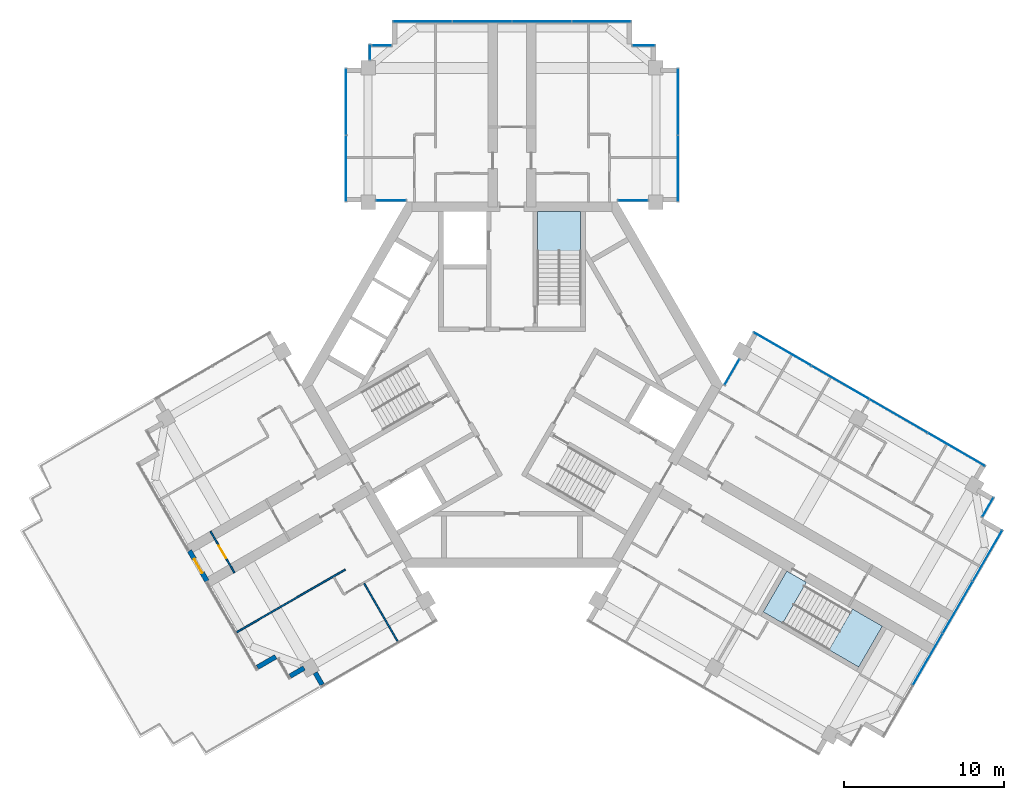
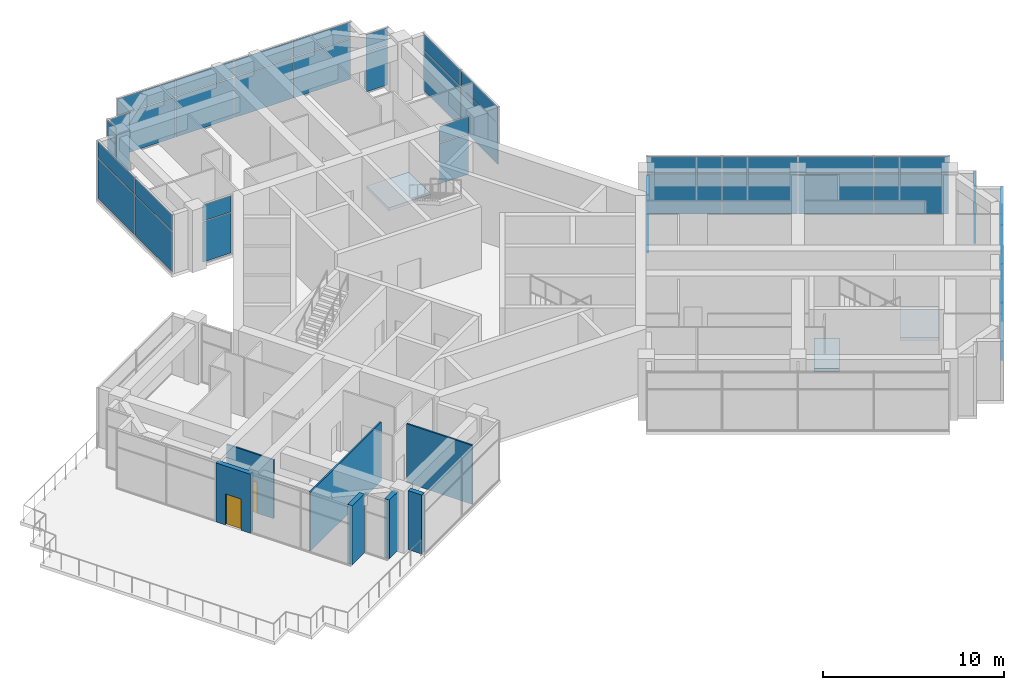
# One storey, part 8 of 13: 44 plates, 7 walls, 3 slabs, 2 doors, 2 openings, 14 elements without a shape of their own.
"""IFC4 building model written with IfcOpenShell, lengths in metres."""

from ifc_helpers import new_model, si_unit, direction, frame, frame_2d, origin, origin_2d, place, context, subcontext, project, spatial, polyline, rectangle, outline, extrude, material, layer, layer_set, type_object, element, fill, aggregate, save


model = new_model("IFC4")

# Units and contexts
model_context = context("Model", 3, precision=1e-05, world=origin(), true_north=direction((0.0, 1.0)))
body_context = subcontext(model_context, "Body", "Model", "MODEL_VIEW")
ifc_project = project(units=[si_unit("LENGTHUNIT", "METRE"), si_unit("AREAUNIT", "SQUARE_METRE"), si_unit("VOLUMEUNIT", "CUBIC_METRE"), si_unit("PLANEANGLEUNIT", "RADIAN"), si_unit("MASSUNIT", "GRAM", prefix="KILO")], contexts=[model_context])

# Site, building, storey
site_placement = place(None, origin())
site = spatial("IfcSite", under=ifc_project, at=site_placement, CompositionType="ELEMENT")
building_placement = place(site_placement, origin())
building = spatial("IfcBuilding", under=site, at=building_placement, Name="Impinga Residences", CompositionType="ELEMENT")
storey_placement = place(building_placement, frame((0.0, 0.0, 283.14990234375)))
storey = spatial("IfcBuildingStorey", under=building, at=storey_placement, Name="L71", CompositionType="ELEMENT", Elevation=283.14990234375)

# Curtain wall, plates
ifc_material_1 = material(Name="Aluminium stick curtain wall", Category="aluminium")
curtain_wall_type = type_object("IfcCurtainWallType", Name="CW3 penthouse curtain wall", PredefinedType="USERDEFINED", material=ifc_material_1)
curtain_wall_1_placement = place(storey_placement, origin())
curtain_wall_1 = element("IfcCurtainWall", 1, at=curtain_wall_1_placement, inside=storey, type_object=curtain_wall_type, Name="Curtain wall CW3 L71", ObjectType="STICK CURTAIN WALL", PredefinedType="USERDEFINED")
ifc_material_2 = material(Name="Clear double glazing", Category="glass")
ifc_layer_1 = layer(ifc_material_2, 0.028076171875)
ifc_layer_set_1 = layer_set([ifc_layer_1], Name="CW3-P clear double glazed panel 28")
plate_type = type_object("IfcPlateType", Name="CW3-P clear double glazed panel 28", PredefinedType="CURTAIN_PANEL", material=ifc_layer_set_1)
plate_1_placement = place(storey_placement, frame((29.78662109375, -7.671142578125, 0.06005859375), z_axis=(0.0, 0.0, 1.0), x_axis=(-0.500000030502, -0.866025386174, 0.0)))
plate_1 = element("IfcPlate", 2, at=plate_1_placement, type_object=plate_type, Name="CW3 panel 1.1", PredefinedType="CURTAIN_PANEL", context=body_context, shape_type="SweptSolid", body=[
    extrude(rectangle(XDim=1.3798828125, YDim=0.028076171875, at=origin_2d()), origin(), (0.0, 0.0, 1.0), 2.7099609375),
])
plate_2_placement = place(storey_placement, frame((29.78662109375, -7.671142578125, 2.830078125), z_axis=(0.0, 0.0, 1.0), x_axis=(-0.500000030502, -0.866025386174, 0.0)))
plate_2 = element("IfcPlate", 3, at=plate_2_placement, type_object=plate_type, Name="CW3 panel 1.2", PredefinedType="CURTAIN_PANEL", context=body_context, shape_type="SweptSolid", body=[
    extrude(rectangle(XDim=1.3798828125, YDim=0.028076171875, at=origin_2d()), origin(), (0.0, 0.0, 1.0), 1.090087890625),
])
aggregate(curtain_wall_1, [plate_1, plate_2])

curtain_wall_2_placement = place(storey_placement, origin())
curtain_wall_2 = element("IfcCurtainWall", 4, at=curtain_wall_2_placement, inside=storey, type_object=curtain_wall_type, Name="Curtain wall CW3 L71", ObjectType="STICK CURTAIN WALL", PredefinedType="USERDEFINED")
plate_3_placement = place(storey_placement, frame((29.765625, -10.707275390625, 0.06005859375), z_axis=(0.0, 0.0, 1.0), x_axis=(-0.500000001632, -0.866025402842, 0.0)))
plate_3 = element("IfcPlate", 5, at=plate_3_placement, type_object=plate_type, Name="CW3 panel 1.1", PredefinedType="CURTAIN_PANEL", context=body_context, shape_type="SweptSolid", body=[
    extrude(rectangle(XDim=3.659912109375, YDim=0.028076171875, at=origin_2d()), origin(), (0.0, 0.0, 1.0), 2.7099609375),
])
plate_4_placement = place(storey_placement, frame((29.765625, -10.707275390625, 2.830078125), z_axis=(0.0, 0.0, 1.0), x_axis=(-0.500000001632, -0.866025402842, 0.0)))
plate_4 = element("IfcPlate", 6, at=plate_4_placement, type_object=plate_type, Name="CW3 panel 1.2", PredefinedType="CURTAIN_PANEL", context=body_context, shape_type="SweptSolid", body=[
    extrude(rectangle(XDim=3.659912109375, YDim=0.028076171875, at=origin_2d()), origin(), (0.0, 0.0, 1.0), 1.090087890625),
])
plate_5_placement = place(storey_placement, frame((27.898193359375, -13.94189453125, 0.06005859375), z_axis=(0.0, 0.0, 1.0), x_axis=(-0.500000001632, -0.866025402842, 0.0)))
plate_5 = element("IfcPlate", 7, at=plate_5_placement, type_object=plate_type, Name="CW3 panel 2.1", PredefinedType="CURTAIN_PANEL", context=body_context, shape_type="SweptSolid", body=[
    extrude(rectangle(XDim=3.68994140625, YDim=0.028076171875, at=origin_2d()), origin(), (0.0, 0.0, 1.0), 2.7099609375),
])
plate_6_placement = place(storey_placement, frame((27.898193359375, -13.94189453125, 2.830078125), z_axis=(0.0, 0.0, 1.0), x_axis=(-0.500000001632, -0.866025402842, 0.0)))
plate_6 = element("IfcPlate", 8, at=plate_6_placement, type_object=plate_type, Name="CW3 panel 2.2", PredefinedType="CURTAIN_PANEL", context=body_context, shape_type="SweptSolid", body=[
    extrude(rectangle(XDim=3.68994140625, YDim=0.028076171875, at=origin_2d()), origin(), (0.0, 0.0, 1.0), 1.090087890625),
])
plate_7_placement = place(storey_placement, frame((26.023193359375, -17.189453125, 0.06005859375), z_axis=(0.0, 0.0, 1.0), x_axis=(-0.500000001632, -0.866025402842, 0.0)))
plate_7 = element("IfcPlate", 9, at=plate_7_placement, type_object=plate_type, Name="CW3 panel 3.1", PredefinedType="CURTAIN_PANEL", context=body_context, shape_type="SweptSolid", body=[
    extrude(rectangle(XDim=3.68994140625, YDim=0.028076171875, at=origin_2d()), origin(), (0.0, 0.0, 1.0), 2.7099609375),
])
plate_8_placement = place(storey_placement, frame((26.023193359375, -17.189453125, 2.830078125), z_axis=(0.0, 0.0, 1.0), x_axis=(-0.500000001632, -0.866025402842, 0.0)))
plate_8 = element("IfcPlate", 10, at=plate_8_placement, type_object=plate_type, Name="CW3 panel 3.2", PredefinedType="CURTAIN_PANEL", context=body_context, shape_type="SweptSolid", body=[
    extrude(rectangle(XDim=3.68994140625, YDim=0.028076171875, at=origin_2d()), origin(), (0.0, 0.0, 1.0), 1.090087890625),
])
aggregate(curtain_wall_2, [plate_3, plate_4, plate_5, plate_6, plate_7, plate_8])

curtain_wall_3_placement = place(storey_placement, origin())
curtain_wall_3 = element("IfcCurtainWall", 11, at=curtain_wall_3_placement, inside=storey, type_object=curtain_wall_type, Name="Curtain wall CW3 L71", ObjectType="STICK CURTAIN WALL", PredefinedType="USERDEFINED")
plate_9_placement = place(storey_placement, frame((-7.573486328125, 11.531494140625, 0.06005859375), z_axis=(0.0, 0.0, 1.0), x_axis=(-1.0, 0.0, 0.0)))
plate_9 = element("IfcPlate", 12, at=plate_9_placement, type_object=plate_type, Name="CW3 panel 1.1", PredefinedType="CURTAIN_PANEL", context=body_context, shape_type="SweptSolid", body=[
    extrude(rectangle(XDim=1.826904296875, YDim=0.028076171875, at=origin_2d()), origin(), (0.0, 0.0, 1.0), 2.7099609375),
])
plate_10_placement = place(storey_placement, frame((-7.573486328125, 11.531494140625, 2.830078125), z_axis=(0.0, 0.0, 1.0), x_axis=(-1.0, 0.0, 0.0)))
plate_10 = element("IfcPlate", 13, at=plate_10_placement, type_object=plate_type, Name="CW3 panel 1.2", PredefinedType="CURTAIN_PANEL", context=body_context, shape_type="SweptSolid", body=[
    extrude(rectangle(XDim=1.826904296875, YDim=0.028076171875, at=origin_2d()), origin(), (0.0, 0.0, 1.0), 1.090087890625),
])
aggregate(curtain_wall_3, [plate_9, plate_10])

curtain_wall_4_placement = place(storey_placement, origin())
curtain_wall_4 = element("IfcCurtainWall", 14, at=curtain_wall_4_placement, inside=storey, type_object=curtain_wall_type, Name="Curtain wall CW3 L71", ObjectType="STICK CURTAIN WALL", PredefinedType="USERDEFINED")
plate_11_placement = place(storey_placement, frame((-10.39990234375, 13.546630859375, 0.06005859375), z_axis=(0.0, 0.0, 1.0), x_axis=(0.0, 1.0, 0.0)))
plate_11 = element("IfcPlate", 15, at=plate_11_placement, type_object=plate_type, Name="CW3 panel 1.1", PredefinedType="CURTAIN_PANEL", context=body_context, shape_type="SweptSolid", body=[
    extrude(rectangle(XDim=4.110107421875, YDim=0.028076171875, at=origin_2d()), origin(), (0.0, 0.0, 1.0), 2.7099609375),
])
plate_12_placement = place(storey_placement, frame((-10.39990234375, 13.546630859375, 2.830078125), z_axis=(0.0, 0.0, 1.0), x_axis=(0.0, 1.0, 0.0)))
plate_12 = element("IfcPlate", 16, at=plate_12_placement, type_object=plate_type, Name="CW3 panel 1.2", PredefinedType="CURTAIN_PANEL", context=body_context, shape_type="SweptSolid", body=[
    extrude(rectangle(XDim=4.110107421875, YDim=0.028076171875, at=origin_2d()), origin(), (0.0, 0.0, 1.0), 1.090087890625),
])
plate_13_placement = place(storey_placement, frame((-10.39990234375, 17.716552734375, 0.06005859375), z_axis=(0.0, 0.0, 1.0), x_axis=(0.0, 1.0, 0.0)))
plate_13 = element("IfcPlate", 17, at=plate_13_placement, type_object=plate_type, Name="CW3 panel 2.1", PredefinedType="CURTAIN_PANEL", context=body_context, shape_type="SweptSolid", body=[
    extrude(rectangle(XDim=4.110107421875, YDim=0.028076171875, at=origin_2d()), origin(), (0.0, 0.0, 1.0), 2.7099609375),
])
plate_14_placement = place(storey_placement, frame((-10.39990234375, 17.716552734375, 2.830078125), z_axis=(0.0, 0.0, 1.0), x_axis=(0.0, 1.0, 0.0)))
plate_14 = element("IfcPlate", 18, at=plate_14_placement, type_object=plate_type, Name="CW3 panel 2.2", PredefinedType="CURTAIN_PANEL", context=body_context, shape_type="SweptSolid", body=[
    extrude(rectangle(XDim=4.110107421875, YDim=0.028076171875, at=origin_2d()), origin(), (0.0, 0.0, 1.0), 1.090087890625),
])
aggregate(curtain_wall_4, [plate_11, plate_12, plate_13, plate_14])

curtain_wall_5_placement = place(storey_placement, origin())
curtain_wall_5 = element("IfcCurtainWall", 19, at=curtain_wall_5_placement, inside=storey, type_object=curtain_wall_type, Name="Curtain wall CW3 L71", ObjectType="STICK CURTAIN WALL", PredefinedType="USERDEFINED")
plate_15_placement = place(storey_placement, frame((-8.89990234375, 20.80810546875, 0.06005859375), z_axis=(0.0, 0.0, 1.0), x_axis=(0.0, 1.0, 0.0)))
plate_15 = element("IfcPlate", 20, at=plate_15_placement, type_object=plate_type, Name="CW3 panel 1.1", PredefinedType="CURTAIN_PANEL", context=body_context, shape_type="SweptSolid", body=[
    extrude(rectangle(XDim=0.927001953125, YDim=0.028076171875, at=origin_2d()), origin(), (0.0, 0.0, 1.0), 2.7099609375),
])
plate_16_placement = place(storey_placement, frame((-8.89990234375, 20.80810546875, 2.830078125), z_axis=(0.0, 0.0, 1.0), x_axis=(0.0, 1.0, 0.0)))
plate_16 = element("IfcPlate", 21, at=plate_16_placement, type_object=plate_type, Name="CW3 panel 1.2", PredefinedType="CURTAIN_PANEL", context=body_context, shape_type="SweptSolid", body=[
    extrude(rectangle(XDim=0.927001953125, YDim=0.028076171875, at=origin_2d()), origin(), (0.0, 0.0, 1.0), 1.090087890625),
])
aggregate(curtain_wall_5, [plate_15, plate_16])

curtain_wall_6_placement = place(storey_placement, origin())
curtain_wall_6 = element("IfcCurtainWall", 22, at=curtain_wall_6_placement, inside=storey, type_object=curtain_wall_type, Name="Curtain wall CW3 L71", ObjectType="STICK CURTAIN WALL", PredefinedType="USERDEFINED")
plate_17_placement = place(storey_placement, frame((-8.14990234375, 21.2314453125, 0.06005859375), z_axis=(0.0, 0.0, 1.0), x_axis=(1.0, 0.0, 0.0)))
plate_17 = element("IfcPlate", 23, at=plate_17_placement, type_object=plate_type, Name="CW3 panel 1.1", PredefinedType="CURTAIN_PANEL", context=body_context, shape_type="SweptSolid", body=[
    extrude(rectangle(XDim=1.179931640625, YDim=0.028076171875, at=origin_2d()), origin(), (0.0, 0.0, 1.0), 2.7099609375),
])
plate_18_placement = place(storey_placement, frame((-8.14990234375, 21.2314453125, 2.830078125), z_axis=(0.0, 0.0, 1.0), x_axis=(1.0, 0.0, 0.0)))
plate_18 = element("IfcPlate", 24, at=plate_18_placement, type_object=plate_type, Name="CW3 panel 1.2", PredefinedType="CURTAIN_PANEL", context=body_context, shape_type="SweptSolid", body=[
    extrude(rectangle(XDim=1.179931640625, YDim=0.028076171875, at=origin_2d()), origin(), (0.0, 0.0, 1.0), 1.090087890625),
])
aggregate(curtain_wall_6, [plate_17, plate_18])

curtain_wall_7_placement = place(storey_placement, origin())
curtain_wall_7 = element("IfcCurtainWall", 25, at=curtain_wall_7_placement, inside=storey, type_object=curtain_wall_type, Name="Curtain wall CW3 L71", ObjectType="STICK CURTAIN WALL", PredefinedType="USERDEFINED")
plate_19_placement = place(storey_placement, frame((-5.610107421875, 22.7314453125, 0.06005859375), z_axis=(0.0, 0.0, 1.0), x_axis=(1.0, 0.0, 0.0)))
plate_19 = element("IfcPlate", 26, at=plate_19_placement, type_object=plate_type, Name="CW3 panel 1.1", PredefinedType="CURTAIN_PANEL", context=body_context, shape_type="SweptSolid", body=[
    extrude(rectangle(XDim=3.659912109375, YDim=0.028076171875, at=origin_2d()), origin(), (0.0, 0.0, 1.0), 2.7099609375),
])
plate_20_placement = place(storey_placement, frame((-5.610107421875, 22.7314453125, 2.830078125), z_axis=(0.0, 0.0, 1.0), x_axis=(1.0, 0.0, 0.0)))
plate_20 = element("IfcPlate", 27, at=plate_20_placement, type_object=plate_type, Name="CW3 panel 1.2", PredefinedType="CURTAIN_PANEL", context=body_context, shape_type="SweptSolid", body=[
    extrude(rectangle(XDim=3.659912109375, YDim=0.028076171875, at=origin_2d()), origin(), (0.0, 0.0, 1.0), 1.090087890625),
])
plate_21_placement = place(storey_placement, frame((-1.875, 22.7314453125, 0.06005859375), z_axis=(0.0, 0.0, 1.0), x_axis=(1.0, 0.0, 0.0)))
plate_21 = element("IfcPlate", 28, at=plate_21_placement, type_object=plate_type, Name="CW3 panel 2.1", PredefinedType="CURTAIN_PANEL", context=body_context, shape_type="SweptSolid", body=[
    extrude(rectangle(XDim=3.68994140625, YDim=0.028076171875, at=origin_2d()), origin(), (0.0, 0.0, 1.0), 2.7099609375),
])
plate_22_placement = place(storey_placement, frame((-1.875, 22.7314453125, 2.830078125), z_axis=(0.0, 0.0, 1.0), x_axis=(1.0, 0.0, 0.0)))
plate_22 = element("IfcPlate", 29, at=plate_22_placement, type_object=plate_type, Name="CW3 panel 2.2", PredefinedType="CURTAIN_PANEL", context=body_context, shape_type="SweptSolid", body=[
    extrude(rectangle(XDim=3.68994140625, YDim=0.028076171875, at=origin_2d()), origin(), (0.0, 0.0, 1.0), 1.090087890625),
])
plate_23_placement = place(storey_placement, frame((1.875, 22.7314453125, 0.06005859375), z_axis=(0.0, 0.0, 1.0), x_axis=(1.0, 0.0, 0.0)))
plate_23 = element("IfcPlate", 30, at=plate_23_placement, type_object=plate_type, Name="CW3 panel 3.1", PredefinedType="CURTAIN_PANEL", context=body_context, shape_type="SweptSolid", body=[
    extrude(rectangle(XDim=3.68994140625, YDim=0.028076171875, at=origin_2d()), origin(), (0.0, 0.0, 1.0), 2.7099609375),
])
plate_24_placement = place(storey_placement, frame((1.875, 22.7314453125, 2.830078125), z_axis=(0.0, 0.0, 1.0), x_axis=(1.0, 0.0, 0.0)))
plate_24 = element("IfcPlate", 31, at=plate_24_placement, type_object=plate_type, Name="CW3 panel 3.2", PredefinedType="CURTAIN_PANEL", context=body_context, shape_type="SweptSolid", body=[
    extrude(rectangle(XDim=3.68994140625, YDim=0.028076171875, at=origin_2d()), origin(), (0.0, 0.0, 1.0), 1.090087890625),
])
plate_25_placement = place(storey_placement, frame((5.610107421875, 22.7314453125, 0.06005859375), z_axis=(0.0, 0.0, 1.0), x_axis=(1.0, 0.0, 0.0)))
plate_25 = element("IfcPlate", 32, at=plate_25_placement, type_object=plate_type, Name="CW3 panel 4.1", PredefinedType="CURTAIN_PANEL", context=body_context, shape_type="SweptSolid", body=[
    extrude(rectangle(XDim=3.659912109375, YDim=0.028076171875, at=origin_2d()), origin(), (0.0, 0.0, 1.0), 2.7099609375),
])
plate_26_placement = place(storey_placement, frame((5.610107421875, 22.7314453125, 2.830078125), z_axis=(0.0, 0.0, 1.0), x_axis=(1.0, 0.0, 0.0)))
plate_26 = element("IfcPlate", 33, at=plate_26_placement, type_object=plate_type, Name="CW3 panel 4.2", PredefinedType="CURTAIN_PANEL", context=body_context, shape_type="SweptSolid", body=[
    extrude(rectangle(XDim=3.659912109375, YDim=0.028076171875, at=origin_2d()), origin(), (0.0, 0.0, 1.0), 1.090087890625),
])
aggregate(curtain_wall_7, [plate_19, plate_20, plate_21, plate_22, plate_23, plate_24, plate_25, plate_26])

curtain_wall_8_placement = place(storey_placement, origin())
curtain_wall_8 = element("IfcCurtainWall", 34, at=curtain_wall_8_placement, inside=storey, type_object=curtain_wall_type, Name="Curtain wall CW3 L71", ObjectType="STICK CURTAIN WALL", PredefinedType="USERDEFINED")
plate_27_placement = place(storey_placement, frame((8.25, 21.2314453125, 0.06005859375), z_axis=(0.0, 0.0, 1.0), x_axis=(1.0, 0.0, 0.0)))
plate_27 = element("IfcPlate", 35, at=plate_27_placement, type_object=plate_type, Name="CW3 panel 1.1", PredefinedType="CURTAIN_PANEL", context=body_context, shape_type="SweptSolid", body=[
    extrude(rectangle(XDim=1.3798828125, YDim=0.028076171875, at=origin_2d()), origin(), (0.0, 0.0, 1.0), 2.7099609375),
])
plate_28_placement = place(storey_placement, frame((8.25, 21.2314453125, 2.830078125), z_axis=(0.0, 0.0, 1.0), x_axis=(1.0, 0.0, 0.0)))
plate_28 = element("IfcPlate", 36, at=plate_28_placement, type_object=plate_type, Name="CW3 panel 1.2", PredefinedType="CURTAIN_PANEL", context=body_context, shape_type="SweptSolid", body=[
    extrude(rectangle(XDim=1.3798828125, YDim=0.028076171875, at=origin_2d()), origin(), (0.0, 0.0, 1.0), 1.090087890625),
])
aggregate(curtain_wall_8, [plate_27, plate_28])

curtain_wall_9_placement = place(storey_placement, origin())
curtain_wall_9 = element("IfcCurtainWall", 37, at=curtain_wall_9_placement, inside=storey, type_object=curtain_wall_type, Name="Curtain wall CW3 L71", ObjectType="STICK CURTAIN WALL", PredefinedType="USERDEFINED")
plate_29_placement = place(storey_placement, frame((10.39990234375, 17.716552734375, 0.06005859375), z_axis=(0.0, 0.0, 1.0), x_axis=(0.0, -1.0, 0.0)))
plate_29 = element("IfcPlate", 38, at=plate_29_placement, type_object=plate_type, Name="CW3 panel 1.1", PredefinedType="CURTAIN_PANEL", context=body_context, shape_type="SweptSolid", body=[
    extrude(rectangle(XDim=4.110107421875, YDim=0.028076171875, at=origin_2d()), origin(), (0.0, 0.0, 1.0), 2.7099609375),
])
plate_30_placement = place(storey_placement, frame((10.39990234375, 17.716552734375, 2.830078125), z_axis=(0.0, 0.0, 1.0), x_axis=(0.0, -1.0, 0.0)))
plate_30 = element("IfcPlate", 39, at=plate_30_placement, type_object=plate_type, Name="CW3 panel 1.2", PredefinedType="CURTAIN_PANEL", context=body_context, shape_type="SweptSolid", body=[
    extrude(rectangle(XDim=4.110107421875, YDim=0.028076171875, at=origin_2d()), origin(), (0.0, 0.0, 1.0), 1.090087890625),
])
plate_31_placement = place(storey_placement, frame((10.39990234375, 13.546630859375, 0.06005859375), z_axis=(0.0, 0.0, 1.0), x_axis=(0.0, -1.0, 0.0)))
plate_31 = element("IfcPlate", 40, at=plate_31_placement, type_object=plate_type, Name="CW3 panel 2.1", PredefinedType="CURTAIN_PANEL", context=body_context, shape_type="SweptSolid", body=[
    extrude(rectangle(XDim=4.110107421875, YDim=0.028076171875, at=origin_2d()), origin(), (0.0, 0.0, 1.0), 2.7099609375),
])
plate_32_placement = place(storey_placement, frame((10.39990234375, 13.546630859375, 2.830078125), z_axis=(0.0, 0.0, 1.0), x_axis=(0.0, -1.0, 0.0)))
plate_32 = element("IfcPlate", 41, at=plate_32_placement, type_object=plate_type, Name="CW3 panel 2.2", PredefinedType="CURTAIN_PANEL", context=body_context, shape_type="SweptSolid", body=[
    extrude(rectangle(XDim=4.110107421875, YDim=0.028076171875, at=origin_2d()), origin(), (0.0, 0.0, 1.0), 1.090087890625),
])
aggregate(curtain_wall_9, [plate_29, plate_30, plate_31, plate_32])

curtain_wall_10_placement = place(storey_placement, origin())
curtain_wall_10 = element("IfcCurtainWall", 42, at=curtain_wall_10_placement, inside=storey, type_object=curtain_wall_type, Name="Curtain wall CW3 L71", ObjectType="STICK CURTAIN WALL", PredefinedType="USERDEFINED")
plate_33_placement = place(storey_placement, frame((7.573486328125, 11.531494140625, 0.06005859375), z_axis=(0.0, 0.0, 1.0), x_axis=(-1.0, 0.0, 0.0)))
plate_33 = element("IfcPlate", 43, at=plate_33_placement, type_object=plate_type, Name="CW3 panel 1.1", PredefinedType="CURTAIN_PANEL", context=body_context, shape_type="SweptSolid", body=[
    extrude(rectangle(XDim=1.826904296875, YDim=0.028076171875, at=origin_2d()), origin(), (0.0, 0.0, 1.0), 2.7099609375),
])
plate_34_placement = place(storey_placement, frame((7.573486328125, 11.531494140625, 2.830078125), z_axis=(0.0, 0.0, 1.0), x_axis=(-1.0, 0.0, 0.0)))
plate_34 = element("IfcPlate", 44, at=plate_34_placement, type_object=plate_type, Name="CW3 panel 1.2", PredefinedType="CURTAIN_PANEL", context=body_context, shape_type="SweptSolid", body=[
    extrude(rectangle(XDim=1.826904296875, YDim=0.028076171875, at=origin_2d()), origin(), (0.0, 0.0, 1.0), 1.090087890625),
])
aggregate(curtain_wall_10, [plate_33, plate_34])

curtain_wall_11_placement = place(storey_placement, origin())
curtain_wall_11 = element("IfcCurtainWall", 45, at=curtain_wall_11_placement, inside=storey, type_object=curtain_wall_type, Name="Curtain wall CW3 L71", ObjectType="STICK CURTAIN WALL", PredefinedType="USERDEFINED")
plate_35_placement = place(storey_placement, frame((13.7734375, 0.79296875, 0.06005859375), z_axis=(0.0, 0.0, 1.0), x_axis=(0.50000010257, 0.866025344565, 0.0)))
plate_35 = element("IfcPlate", 46, at=plate_35_placement, type_object=plate_type, Name="CW3 panel 1.1", PredefinedType="CURTAIN_PANEL", context=body_context, shape_type="SweptSolid", body=[
    extrude(rectangle(XDim=1.826904296875, YDim=0.028076171875, at=origin_2d()), origin(), (0.0, 0.0, 1.0), 2.7099609375),
])
plate_36_placement = place(storey_placement, frame((13.7734375, 0.79296875, 2.830078125), z_axis=(0.0, 0.0, 1.0), x_axis=(0.50000010257, 0.866025344565, 0.0)))
plate_36 = element("IfcPlate", 47, at=plate_36_placement, type_object=plate_type, Name="CW3 panel 1.2", PredefinedType="CURTAIN_PANEL", context=body_context, shape_type="SweptSolid", body=[
    extrude(rectangle(XDim=1.826904296875, YDim=0.028076171875, at=origin_2d()), origin(), (0.0, 0.0, 1.0), 1.090087890625),
])
aggregate(curtain_wall_11, [plate_35, plate_36])

curtain_wall_12_placement = place(storey_placement, origin())
curtain_wall_12 = element("IfcCurtainWall", 48, at=curtain_wall_12_placement, inside=storey, type_object=curtain_wall_type, Name="Curtain wall CW3 L71", ObjectType="STICK CURTAIN WALL", PredefinedType="USERDEFINED")
plate_37_placement = place(storey_placement, frame((16.931640625, 2.2333984375, 0.06005859375), z_axis=(0.0, 0.0, 1.0), x_axis=(0.866025407005, -0.499999994423, 0.0)))
plate_37 = element("IfcPlate", 49, at=plate_37_placement, type_object=plate_type, Name="CW3 panel 1.1", PredefinedType="CURTAIN_PANEL", context=body_context, shape_type="SweptSolid", body=[
    extrude(rectangle(XDim=4.110107421875, YDim=0.028076171875, at=origin_2d()), origin(), (0.0, 0.0, 1.0), 2.7099609375),
])
plate_38_placement = place(storey_placement, frame((16.931640625, 2.2333984375, 2.830078125), z_axis=(0.0, 0.0, 1.0), x_axis=(0.866025407005, -0.499999994423, 0.0)))
plate_38 = element("IfcPlate", 50, at=plate_38_placement, type_object=plate_type, Name="CW3 panel 1.2", PredefinedType="CURTAIN_PANEL", context=body_context, shape_type="SweptSolid", body=[
    extrude(rectangle(XDim=4.110107421875, YDim=0.028076171875, at=origin_2d()), origin(), (0.0, 0.0, 1.0), 1.090087890625),
])
plate_39_placement = place(storey_placement, frame((20.555908203125, 0.140869140625, 0.06005859375), z_axis=(0.0, 0.0, 1.0), x_axis=(0.866025407005, -0.499999994423, 0.0)))
plate_39 = element("IfcPlate", 51, at=plate_39_placement, type_object=plate_type, Name="CW3 panel 2.1", PredefinedType="CURTAIN_PANEL", context=body_context, shape_type="SweptSolid", body=[
    extrude(rectangle(XDim=4.139892578125, YDim=0.028076171875, at=origin_2d()), origin(), (0.0, 0.0, 1.0), 2.7099609375),
])
plate_40_placement = place(storey_placement, frame((20.555908203125, 0.140869140625, 2.830078125), z_axis=(0.0, 0.0, 1.0), x_axis=(0.866025407005, -0.499999994423, 0.0)))
plate_40 = element("IfcPlate", 52, at=plate_40_placement, type_object=plate_type, Name="CW3 panel 2.2", PredefinedType="CURTAIN_PANEL", context=body_context, shape_type="SweptSolid", body=[
    extrude(rectangle(XDim=4.139892578125, YDim=0.028076171875, at=origin_2d()), origin(), (0.0, 0.0, 1.0), 1.090087890625),
])
plate_41_placement = place(storey_placement, frame((24.193359375, -1.958984375, 0.06005859375), z_axis=(0.0, 0.0, 1.0), x_axis=(0.866025407005, -0.499999994423, 0.0)))
plate_41 = element("IfcPlate", 53, at=plate_41_placement, type_object=plate_type, Name="CW3 panel 3.1", PredefinedType="CURTAIN_PANEL", context=body_context, shape_type="SweptSolid", body=[
    extrude(rectangle(XDim=4.139892578125, YDim=0.028076171875, at=origin_2d()), origin(), (0.0, 0.0, 1.0), 2.7099609375),
])
plate_42_placement = place(storey_placement, frame((24.193359375, -1.958984375, 2.830078125), z_axis=(0.0, 0.0, 1.0), x_axis=(0.866025407005, -0.499999994423, 0.0)))
plate_42 = element("IfcPlate", 54, at=plate_42_placement, type_object=plate_type, Name="CW3 panel 3.2", PredefinedType="CURTAIN_PANEL", context=body_context, shape_type="SweptSolid", body=[
    extrude(rectangle(XDim=4.139892578125, YDim=0.028076171875, at=origin_2d()), origin(), (0.0, 0.0, 1.0), 1.090087890625),
])
plate_43_placement = place(storey_placement, frame((27.817626953125, -4.051513671875, 0.06005859375), z_axis=(0.0, 0.0, 1.0), x_axis=(0.866025407005, -0.499999994423, 0.0)))
plate_43 = element("IfcPlate", 55, at=plate_43_placement, type_object=plate_type, Name="CW3 panel 4.1", PredefinedType="CURTAIN_PANEL", context=body_context, shape_type="SweptSolid", body=[
    extrude(rectangle(XDim=4.110107421875, YDim=0.028076171875, at=origin_2d()), origin(), (0.0, 0.0, 1.0), 2.7099609375),
])
plate_44_placement = place(storey_placement, frame((27.817626953125, -4.051513671875, 2.830078125), z_axis=(0.0, 0.0, 1.0), x_axis=(0.866025407005, -0.499999994423, 0.0)))
plate_44 = element("IfcPlate", 56, at=plate_44_placement, type_object=plate_type, Name="CW3 panel 4.2", PredefinedType="CURTAIN_PANEL", context=body_context, shape_type="SweptSolid", body=[
    extrude(rectangle(XDim=4.110107421875, YDim=0.028076171875, at=origin_2d()), origin(), (0.0, 0.0, 1.0), 1.090087890625),
])
aggregate(curtain_wall_12, [plate_37, plate_38, plate_39, plate_40, plate_41, plate_42, plate_43, plate_44])

# Stair, slab
ifc_material_3 = material(Name="Concrete C40/50", Category="concrete")
stair_type_1 = type_object("IfcStairType", Name="STR core stair 4200 storey, 26 risers", PredefinedType="HALF_TURN_STAIR", material=ifc_material_3)
stair_1_placement = place(storey_placement, origin())
stair_1 = element("IfcStair", 57, at=stair_1_placement, inside=storey, type_object=stair_type_1, Name="Stair ST1 L71", PredefinedType="HALF_TURN_STAIR")
ifc_layer_2 = layer(ifc_material_3, 0.199951171875)
ifc_layer_set_2 = layer_set([ifc_layer_2], Name="Concrete C40/50")
slab_type = type_object("IfcSlabType", Name="LS1 stair landing 200", PredefinedType="LANDING", material=ifc_layer_set_2)
slab_1_placement = place(storey_placement, frame((0.0, 0.0, 1.900146484375)))
slab_1 = element("IfcSlab", 58, at=slab_1_placement, type_object=slab_type, Name="ST1 landing 2", PredefinedType="LANDING", context=body_context, shape_type="SweptSolid", body=[
    extrude(outline(polyline([(1.60009765625, 8.3798828125), (4.300048828125, 8.3798828125), (4.300048828125, 10.83154296875), (1.60009765625, 10.83154296875), (1.60009765625, 8.3798828125)])), origin(), (0.0, 0.0, 1.0), 0.199951171875),
])
aggregate(stair_1, [slab_1])

# Stair, slabs
stair_type_2 = type_object("IfcStairType", Name="STR wing stair 4200 storey, 26 risers", PredefinedType="HALF_TURN_STAIR", material=ifc_material_3)
stair_2_placement = place(storey_placement, origin())
stair_2 = element("IfcStair", 59, at=stair_2_placement, inside=storey, type_object=stair_type_2, Name="Stair WS3 L71", PredefinedType="HALF_TURN_STAIR")
slab_2_placement = place(storey_placement, frame((0.0, 0.0, -0.199951171875)))
slab_2 = element("IfcSlab", 60, at=slab_2_placement, type_object=slab_type, Name="WS3 landing 1", PredefinedType="LANDING", context=body_context, shape_type="SweptSolid", body=[
    extrude(outline(polyline([(17.2041015625, -11.664794921875), (15.72900390625, -14.219482421875), (16.9501953125, -14.924560546875), (18.425048828125, -12.369873046875), (17.2041015625, -11.664794921875)])), origin(), (0.0, 0.0, 1.0), 0.199951171875),
])
slab_3_placement = place(storey_placement, frame((0.0, 0.0, 1.900146484375)))
slab_3 = element("IfcSlab", 61, at=slab_3_placement, type_object=slab_type, Name="WS3 landing 2", PredefinedType="LANDING", context=body_context, shape_type="SweptSolid", body=[
    extrude(outline(polyline([(21.317626953125, -14.039794921875), (19.8427734375, -16.594482421875), (21.70458984375, -17.669677734375), (23.1796875, -15.11474609375), (21.317626953125, -14.039794921875)])), origin(), (0.0, 0.0, 1.0), 0.199951171875),
])
aggregate(stair_2, [slab_2, slab_3])

# Wall, opening, door
ifc_material_4 = material(Name="Concrete blockwork", Category="masonry")
ifc_layer_3 = layer(ifc_material_4, 0.10009765625)
ifc_layer_set_3 = layer_set([ifc_layer_3], Name="CP1 core room partition, blockwork 100")
wall_type_1 = type_object("IfcWallType", Name="CP1 core room partition, blockwork 100", PredefinedType="PARTITIONING", material=ifc_layer_set_3)
wall_1_placement = place(storey_placement, frame((-17.377197265625, -11.764892578125, 0.0), z_axis=(0.0, 0.0, 1.0), x_axis=(-0.499990139034, 0.866031096941, 0.0)))
wall_1 = element("IfcWall", 62, at=wall_1_placement, inside=storey, type_object=wall_type_1, Name="Core room partition, blockwork L71:W:RFA", PredefinedType="PARTITIONING", context=body_context, shape_type="SweptSolid", body=[
    extrude(rectangle(XDim=3.0, YDim=0.10009765625, at=frame_2d((1.5, 0.0))), origin(), (0.0, 0.0, 1.0), 3.97998046875),
])
opening_1_placement = place(wall_1_placement, frame((1.050048828125, 0.0, 0.0)))
opening_1 = element("IfcOpeningElement", 63, at=opening_1_placement, cuts=wall_1, Name="Opening D6", PredefinedType="OPENING", context=body_context, shape_type="SweptSolid", body=[
    extrude(rectangle(XDim=0.89990234375, YDim=2.10009765625, at=frame_2d((0.449951171875, 1.050048828125))), frame((0.0, 0.06005859375, 0.0), z_axis=(0.0, -1.0, 0.0), x_axis=(1.0, 0.0, 0.0)), (0.0, 0.0, 1.0), 0.1201171875),
])
ifc_material_5 = material(Name="Timber door set", Category="wood")
door_type_1 = type_object("IfcDoorType", Name="D6 riser and store door 900x2100", OperationType="SINGLE_SWING_LEFT", PredefinedType="DOOR", material=ifc_material_5)
door_1_placement = place(opening_1_placement, origin())
door_1 = element("IfcDoor", 64, at=door_1_placement, inside=storey, type_object=door_type_1, Name="Roof access room door W", OperationType="SINGLE_SWING_RIGHT", OverallHeight=2.10009765625, OverallWidth=0.89990234375, PredefinedType="DOOR", context=body_context, shape_type="SweptSolid", body=[
    extrude(rectangle(XDim=0.89990234375, YDim=2.10009765625, at=frame_2d((0.449951171875, 1.050048828125))), frame((0.0, 0.02490234375, 0.0), z_axis=(0.0, -1.0, 0.0), x_axis=(1.0, 0.0, 0.0)), (0.0, 0.0, 1.0), 0.050048828125),
])
fill(opening_1, door_1)

# Walls
ifc_material_6 = material(Name="Stone facing on blockwork", Category="masonry")
ifc_layer_4 = layer(ifc_material_6, 0.300048828125)
ifc_layer_set_4 = layer_set([ifc_layer_4], Name="EW2 external wall, stone facing on blockwork 300")
wall_type_2 = type_object("IfcWallType", Name="EW2 external wall, stone facing on blockwork 300", PredefinedType="SOLIDWALL", material=ifc_layer_set_4)
wall_2_placement = place(storey_placement, frame((-11.88720703125, -18.77392578125, 0.0), z_axis=(0.0, 0.0, 1.0), x_axis=(-0.499885902046, 0.866091268248, 0.0)))
element("IfcWall", 65, at=wall_2_placement, inside=storey, type_object=wall_type_2, Name="External wall EW2 L71", PredefinedType="SOLIDWALL", context=body_context, shape_type="SweptSolid", body=[
    extrude(rectangle(XDim=0.862060546875, YDim=0.300048828125, at=frame_2d((0.43115234375, 0.0))), origin(), (0.0, 0.0, 1.0), 3.97998046875),
])
wall_3_placement = place(storey_placement, frame((-13.009521484375, -17.72998046875, 0.0), z_axis=(0.0, 0.0, 1.0), x_axis=(-0.865969252911, -0.500097243556, 0.0)))
element("IfcWall", 66, at=wall_3_placement, inside=storey, type_object=wall_type_2, Name="External wall EW2 L71", PredefinedType="SOLIDWALL", context=body_context, shape_type="SweptSolid", body=[
    extrude(rectangle(XDim=1.014892578125, YDim=0.300048828125, at=frame_2d((0.50732421875, 0.0))), origin(), (0.0, 0.0, 1.0), 3.97998046875),
])
wall_4_placement = place(storey_placement, frame((-14.78564453125, -17.0234375, 0.0), z_axis=(0.0, 0.0, 1.0), x_axis=(-0.866020521143, -0.500008456887, 0.0)))
element("IfcWall", 67, at=wall_4_placement, inside=storey, type_object=wall_type_2, Name="External wall EW2 L71", PredefinedType="SOLIDWALL", context=body_context, shape_type="SweptSolid", body=[
    extrude(rectangle(XDim=1.330078125, YDim=0.300048828125, at=frame_2d((0.6650390625, 0.0))), origin(), (0.0, 0.0, 1.0), 3.97998046875),
])

# Wall, opening, door
wall_5_placement = place(storey_placement, frame((-19.0927734375, -12.29345703125, 0.0), z_axis=(0.0, 0.0, 1.0), x_axis=(-0.50002983664, 0.866008176907, 0.0)))
wall_5 = element("IfcWall", 68, at=wall_5_placement, inside=storey, type_object=wall_type_2, Name="External wall EW2 L71", PredefinedType="SOLIDWALL", context=body_context, shape_type="SweptSolid", body=[
    extrude(rectangle(XDim=2.199951171875, YDim=0.300048828125, at=frame_2d((1.10009765625, 0.0))), origin(), (0.0, 0.0, 1.0), 3.97998046875),
])
opening_2_placement = place(wall_5_placement, frame((0.60009765625, 0.0, 0.0)))
opening_2 = element("IfcOpeningElement", 69, at=opening_2_placement, cuts=wall_5, Name="Opening RD1", PredefinedType="OPENING", context=body_context, shape_type="SweptSolid", body=[
    extrude(rectangle(XDim=1.0, YDim=2.10009765625, at=frame_2d((0.5, 1.050048828125))), frame((0.0, 0.159912109375, 0.0), z_axis=(0.0, -1.0, 0.0), x_axis=(1.0, 0.0, 0.0)), (0.0, 0.0, 1.0), 0.320068359375),
])
ifc_material_7 = material(Name="Steel door, painted", Category="steel")
door_type_2 = type_object("IfcDoorType", Name="RD1 maintenance roof access door 1000x2100", OperationType="SINGLE_SWING_LEFT", PredefinedType="DOOR", material=ifc_material_7)
door_2_placement = place(opening_2_placement, origin())
door_2 = element("IfcDoor", 70, at=door_2_placement, inside=storey, type_object=door_type_2, Name="Maintenance roof access door L71", OperationType="SINGLE_SWING_LEFT", OverallHeight=2.10009765625, OverallWidth=1.0, PredefinedType="DOOR", context=body_context, shape_type="SweptSolid", body=[
    extrude(rectangle(XDim=1.0, YDim=2.10009765625, at=frame_2d((0.5, 1.050048828125))), frame((0.0, 0.02490234375, 0.0), z_axis=(0.0, -1.0, 0.0), x_axis=(1.0, 0.0, 0.0)), (0.0, 0.0, 1.0), 0.050048828125),
])
fill(opening_2, door_2)

# Walls
ifc_material_8 = material(Name="Gypsum board on steel studs", Category="steel")
ifc_layer_5 = layer(ifc_material_8, 0.10009765625)
ifc_layer_set_5 = layer_set([ifc_layer_5], Name="Gypsum board on steel studs")
wall_type_3 = type_object("IfcWallType", Name="IP1 partition 100", PredefinedType="PARTITIONING", material=ifc_layer_set_5)
wall_6_placement = place(storey_placement, frame((-10.444580078125, -11.57275390625, 0.0), z_axis=(0.0, 0.0, 1.0), x_axis=(-0.866022168049, -0.500005604417, 0.0)))
element("IfcWall", 71, at=wall_6_placement, inside=storey, type_object=wall_type_3, Name="Partition L71-WA1:DIV1", PredefinedType="PARTITIONING", context=body_context, shape_type="SweptSolid", body=[
    extrude(rectangle(XDim=7.8369140625, YDim=0.10009765625, at=frame_2d((3.91845703125, 0.0))), origin(), (0.0, 0.0, 1.0), 3.97998046875),
])
wall_7_placement = place(storey_placement, frame((-9.249755859375, -12.44189453125, 0.0), z_axis=(0.0, 0.0, 1.0), x_axis=(0.500008475426, -0.86602051044, 0.0)))
element("IfcWall", 72, at=wall_7_placement, inside=storey, type_object=wall_type_3, Name="Partition L71-WA1:OB1", PredefinedType="PARTITIONING", context=body_context, shape_type="SweptSolid", body=[
    extrude(rectangle(XDim=4.18701171875, YDim=0.10009765625, at=frame_2d((2.093505859375, 0.0))), origin(), (0.0, 0.0, 1.0), 3.97998046875),
])

save(model, "model.ifc")
